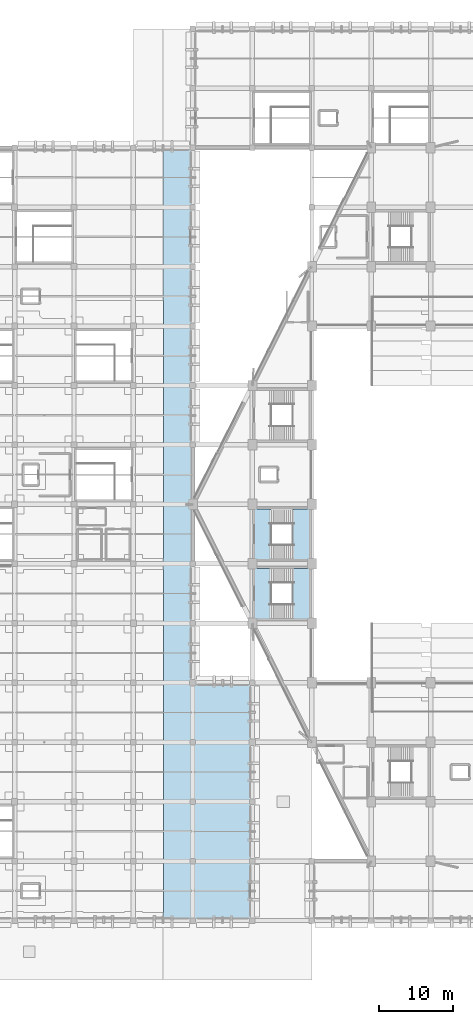
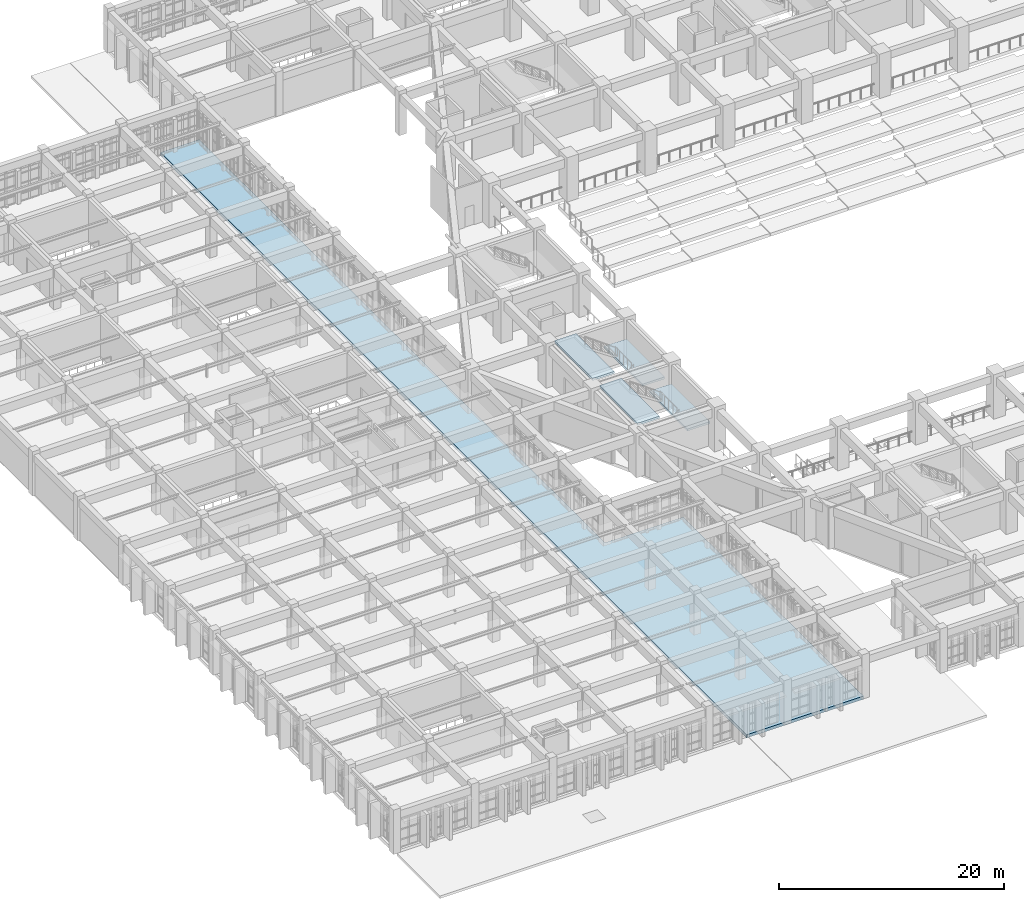
# One storey, part 94 of 155: 5 slabs, 2 elements without a shape of their own.
"""IFC4 building model written with IfcOpenShell, lengths in metres."""

from ifc_helpers import new_model, si_unit, direction, frame, origin, place, context, subcontext, project, spatial, polyline, outline, extrude, material, layer, layer_set, type_object, element, aggregate, save


model = new_model("IFC4")

# Units and contexts
model_context = context("Model", 3, precision=1e-05, world=origin(), true_north=direction((0.0, 1.0)))
body_context = subcontext(model_context, "Body", "Model", "MODEL_VIEW")
ifc_project = project(units=[si_unit("LENGTHUNIT", "METRE"), si_unit("AREAUNIT", "SQUARE_METRE"), si_unit("VOLUMEUNIT", "CUBIC_METRE"), si_unit("PLANEANGLEUNIT", "RADIAN"), si_unit("MASSUNIT", "GRAM", prefix="KILO")], contexts=[model_context])

# Site, building, storey
site_placement = place(None, origin())
site = spatial("IfcSite", under=ifc_project, at=site_placement, CompositionType="ELEMENT")
building_placement = place(site_placement, origin())
building = spatial("IfcBuilding", under=site, at=building_placement, Name="Tazarka Park Arena", CompositionType="ELEMENT")
storey_placement = place(building_placement, frame((0.0, 0.0, 5.39990234375)))
storey = spatial("IfcBuildingStorey", under=building, at=storey_placement, Name="L01", CompositionType="ELEMENT", Elevation=5.39990234375)

# Stair, slabs
ifc_material_1 = material(Name="Precast concrete C40/50", Category="concrete")
stair_type_1 = type_object("IfcStairType", Name="STR-2400", PredefinedType="HALF_TURN_STAIR", material=ifc_material_1)
stair_1_placement = place(storey_placement, origin())
stair_1 = element("IfcStair", 1, at=stair_1_placement, inside=storey, type_object=stair_type_1, Name="Stair ST13 L01", PredefinedType="HALF_TURN_STAIR")
ifc_material_2 = material(Name="Precast concrete C40/50", Category="concrete")
ifc_layer_1 = layer(ifc_material_2, 0.22998046875, Name="Precast concrete C40/50")
ifc_layer_set_1 = layer_set([ifc_layer_1], Name="Precast concrete C40/50")
slab_type_1 = type_object("IfcSlabType", Name="LND-03", PredefinedType="LANDING", material=ifc_layer_set_1)
slab_1_placement = place(storey_placement, frame((0.0, 0.0, 2.170166015625)))
slab_1 = element("IfcSlab", 2, at=slab_1_placement, type_object=slab_type_1, Name="ST13-L01 landing 1", PredefinedType="LANDING", context=body_context, shape_type="SweptSolid", body=[
    extrude(outline(polyline([(53.409912109375, 56.610107421875), (55.68994140625, 56.610107421875), (55.68994140625, 63.389892578125), (53.409912109375, 63.389892578125), (53.409912109375, 56.610107421875)])), origin(), (0.0, 0.0, 1.0), 0.22998046875),
])
slab_2_placement = place(storey_placement, frame((0.0, 0.0, 4.570068359375)))
slab_2 = element("IfcSlab", 3, at=slab_2_placement, type_object=slab_type_1, Name="ST13-L01 landing 2", PredefinedType="LANDING", context=body_context, shape_type="SweptSolid", body=[
    extrude(outline(polyline([(48.31005859375, 56.610107421875), (50.534912109375, 56.610107421875), (50.534912109375, 63.389892578125), (48.31005859375, 63.389892578125), (48.31005859375, 56.610107421875)])), origin(), (0.0, 0.0, 1.0), 0.22998046875),
])
aggregate(stair_1, [slab_1, slab_2])

ifc_material_3 = material(Name="Precast concrete C40/50", Category="concrete")
stair_type_2 = type_object("IfcStairType", Name="STR-1800", PredefinedType="HALF_TURN_STAIR", material=ifc_material_3)
stair_2_placement = place(storey_placement, origin())
stair_2 = element("IfcStair", 4, at=stair_2_placement, inside=storey, type_object=stair_type_2, Name="Vomitory Stair ST19 L01", PredefinedType="HALF_TURN_STAIR")
slab_3_placement = place(storey_placement, frame((0.0, 0.0, 2.170166015625)))
slab_3 = element("IfcSlab", 5, at=slab_3_placement, type_object=slab_type_1, Name="ST19-L01 landing 1", PredefinedType="LANDING", context=body_context, shape_type="SweptSolid", body=[
    extrude(outline(polyline([(53.409912109375, 48.610107421875), (55.68994140625, 48.610107421875), (55.68994140625, 55.389892578125), (53.409912109375, 55.389892578125), (53.409912109375, 48.610107421875)])), origin(), (0.0, 0.0, 1.0), 0.22998046875),
])
slab_4_placement = place(storey_placement, frame((0.0, 0.0, 4.570068359375)))
slab_4 = element("IfcSlab", 6, at=slab_4_placement, type_object=slab_type_1, Name="ST19-L01 landing 2", PredefinedType="LANDING", context=body_context, shape_type="SweptSolid", body=[
    extrude(outline(polyline([(48.31005859375, 48.610107421875), (50.534912109375, 48.610107421875), (50.534912109375, 55.389892578125), (48.31005859375, 55.389892578125), (48.31005859375, 48.610107421875)])), origin(), (0.0, 0.0, 1.0), 0.22998046875),
])
aggregate(stair_2, [slab_3, slab_4])

# Slab
ifc_material_4 = material(Name="Concrete C35/45", Category="concrete")
ifc_layer_2 = layer(ifc_material_4, 0.340087890625, Name="Concrete C35/45")
ifc_layer_set_2 = layer_set([ifc_layer_2], Name="Concrete C35/45")
slab_type_2 = type_object("IfcSlabType", Name="SLB-SL-04", PredefinedType="FLOOR", material=ifc_layer_set_2)
slab_5_placement = place(storey_placement, frame((0.0, 0.0, -0.33984375)))
element("IfcSlab", 7, at=slab_5_placement, inside=storey, type_object=slab_type_2, Name="FLR-L01-BW-01", PredefinedType="FLOOR", context=body_context, shape_type="SweptSolid", body=[
    extrude(outline(polyline([(39.969970703125, 112.0), (40.0, 111.969970703125), (40.0, 40.0), (47.99951171875, 39.975830078125), (48.0, 8.030029296875), (47.972900390625, 8.0), (36.050048828125, 8.0), (36.02001953125, 8.027099609375), (36.02001953125, 111.969970703125), (36.050048828125, 112.0), (39.969970703125, 112.0)])), origin(), (0.0, 0.0, 1.0), 0.33984375),
])

save(model, "model.ifc")
